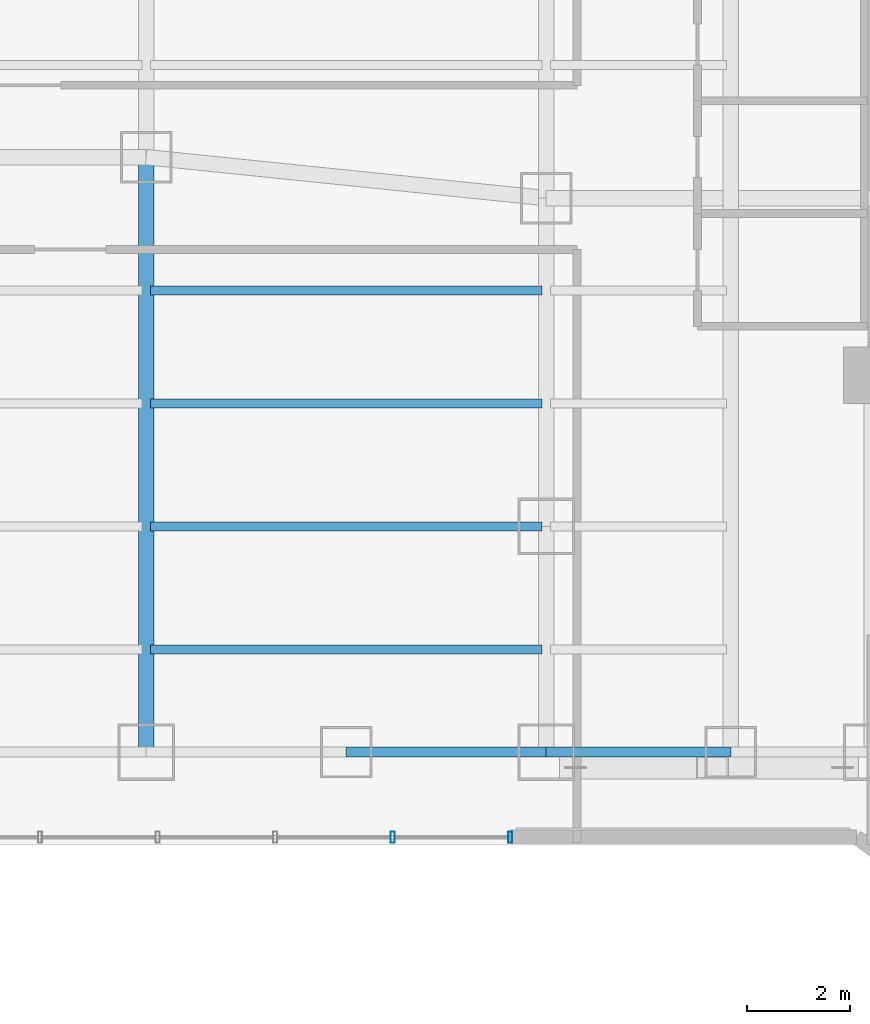
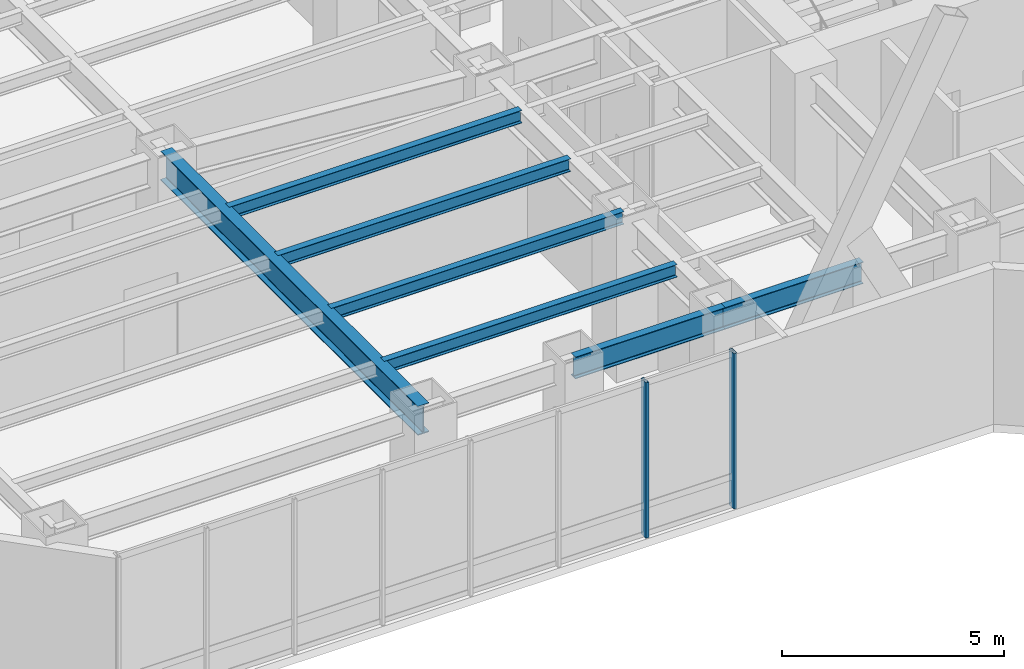
# One storey, part 4 of 29: 7 beams, 2 members, 1 element without a shape of its own.
"""IFC4 building model written with IfcOpenShell, lengths in metres."""

from ifc_helpers import new_model, si_unit, direction, frame, origin, origin_2d, place, context, subcontext, project, spatial, hollow_rectangle, i_section, extrude, material, layer, layer_set, material_profile, profile_set, type_object, element, aggregate, save


model = new_model("IFC4")

# Units and contexts
model_context = context("Model", 3, precision=1e-05, world=origin(), true_north=direction((0.0, 1.0)))
body_context = subcontext(model_context, "Body", "Model", "MODEL_VIEW")
ifc_project = project(units=[si_unit("LENGTHUNIT", "METRE"), si_unit("AREAUNIT", "SQUARE_METRE"), si_unit("VOLUMEUNIT", "CUBIC_METRE"), si_unit("PLANEANGLEUNIT", "RADIAN"), si_unit("MASSUNIT", "GRAM", prefix="KILO")], contexts=[model_context])

# Site, building, storey
site_placement = place(None, origin())
site = spatial("IfcSite", under=ifc_project, at=site_placement, CompositionType="ELEMENT")
building_placement = place(site_placement, origin())
building = spatial("IfcBuilding", under=site, at=building_placement, Name="Hatsunagi Terrace Concourse", CompositionType="ELEMENT")
storey_placement = place(building_placement, frame((0.0, 0.0, 32.10009765625)))
storey = spatial("IfcBuildingStorey", under=building, at=storey_placement, Name="L07", CompositionType="ELEMENT", Elevation=32.10009765625)

# Curtain wall, members
ifc_material_1 = material(Name="Anodised Aluminium Alloy 6063-T5", Category="aluminium")
ifc_layer = layer(ifc_material_1, 0.199951171875)
ifc_layer_set = layer_set([ifc_layer], Name="SkyLobbyAtrium_CW05")
curtain_wall_type = type_object("IfcCurtainWallType", Name="SkyLobbyAtrium_CW05", PredefinedType="NOTDEFINED", material=ifc_layer_set)
curtain_wall_placement = place(storey_placement, origin())
curtain_wall = element("IfcCurtainWall", 1, at=curtain_wall_placement, inside=storey, type_object=curtain_wall_type, Name="Unitised Curtain Wall CW-05 CW-L07-07", PredefinedType="NOTDEFINED")
ifc_material_2 = material(Name="Anodised Aluminium Alloy 6063-T5", Category="aluminium")
ifc_material_profile_1 = material_profile(ifc_material_2, hollow_rectangle(XDim=0.080078125, YDim=0.219970703125, WallThickness=0.0048828125, at=origin_2d()), Name="ALU-MUL-220x80x5")
ifc_profile_set_1 = profile_set([ifc_material_profile_1], Name="Anodised Aluminium Alloy 6063-T5")
member_type = type_object("IfcMemberType", Name="CurtainWallMullion_Heavy_220x80", PredefinedType="MULLION", material=ifc_profile_set_1)
member_1_placement = place(storey_placement, frame((18.5, 23.5400390625, 0.0), z_axis=(0.0, 0.0, 1.0), x_axis=(-1.0, 0.0, 0.0)))
member_1 = element("IfcMember", 2, at=member_1_placement, type_object=member_type, Name="Curtain Wall Mullion MUL-01", PredefinedType="MULLION", context=body_context, shape_type="SweptSolid", body=[
    extrude(hollow_rectangle(XDim=0.080078125, YDim=0.219970703125, WallThickness=0.0048828125, at=origin_2d()), origin(), (0.0, 0.0, 1.0), 4.27978515625),
])
member_2_placement = place(storey_placement, frame((16.2080078125, 23.5400390625, 0.0), z_axis=(0.0, 0.0, 1.0), x_axis=(-1.0, 0.0, 0.0)))
member_2 = element("IfcMember", 3, at=member_2_placement, type_object=member_type, Name="Curtain Wall Mullion MUL-01", PredefinedType="MULLION", context=body_context, shape_type="SweptSolid", body=[
    extrude(hollow_rectangle(XDim=0.080078125, YDim=0.219970703125, WallThickness=0.0048828125, at=origin_2d()), origin(), (0.0, 0.0, 1.0), 4.27978515625),
])
aggregate(curtain_wall, [member_1, member_2])

# Beams
ifc_material_3 = material(Name="Steel SN490B", Category="steel")
ifc_material_profile_2 = material_profile(ifc_material_3, i_section(OverallWidth=0.175048828125, OverallDepth=0.35009765625, WebThickness=0.007080078125, FlangeThickness=0.010986328125, FilletRadius=0.012939453125, at=origin_2d()), Name="H-350x175x7x11")
ifc_profile_set_2 = profile_set([ifc_material_profile_2], Name="Steel SN490B")
beam_type_1 = type_object("IfcBeamType", Name="HotelJoist_H_350x175", PredefinedType="JOIST", material=ifc_profile_set_2)
for number, where, z_axis, x_axis, name in (
    (4, (11.485107421875, 27.199951171875, 4.10498046875), (1.0, 0.0, 0.0), (0.0, 1.0, 0.0), "Beam J-02 J-L07-W-11-272"),
    (5, (11.485107421875, 29.60009765625, 4.10498046875), (1.0, 0.0, 0.0), (0.0, 1.0, 0.0), "Beam J-02 J-L07-W-11-296"),
    (6, (11.485107421875, 32.0, 4.10498046875), (1.0, 0.0, 0.0), (0.0, 1.0, 0.0), "Beam J-02 J-L07-W-11-320"),
    (7, (11.485107421875, 34.199951171875, 4.10498046875), (1.0, 0.0, 0.0), (0.0, 1.0, 0.0), "Beam J-02 J-L07-W-11-342"),
):
    element("IfcBeam", number, at=place(storey_placement, frame(where, z_axis=z_axis, x_axis=x_axis)), inside=storey, type_object=beam_type_1, Name=name, PredefinedType="JOIST", context=body_context, shape_type="SweptSolid", body=[
        extrude(i_section(OverallWidth=0.175048828125, OverallDepth=0.35009765625, WebThickness=0.007080078125, FlangeThickness=0.010986328125, FilletRadius=0.012939453125, at=origin_2d()), origin(), (0.0, 0.0, 1.0), 7.6298828125),
    ])
ifc_material_4 = material(Name="Steel SN490B", Category="steel")
ifc_material_profile_3 = material_profile(ifc_material_4, i_section(OverallWidth=0.199951171875, OverallDepth=0.60009765625, WebThickness=0.010986328125, FlangeThickness=0.01708984375, FilletRadius=0.01806640625, at=origin_2d()), Name="H-600x200x11x17")
ifc_profile_set_3 = profile_set([ifc_material_profile_3], Name="Steel SN490B")
beam_type_2 = type_object("IfcBeamType", Name="PerimeterSpandrel_H_600x200", PredefinedType="SPANDREL", material=ifc_profile_set_3)
beam_1_placement = place(storey_placement, frame((15.300048828125, 25.199951171875, 3.97998046875), z_axis=(1.0, 0.0, 0.0), x_axis=(0.0, 1.0, 0.0)))
element("IfcBeam", 8, at=beam_1_placement, inside=storey, type_object=beam_type_2, Name="Beam SP-01 BM-L07-WS-15", PredefinedType="SPANDREL", context=body_context, shape_type="SweptSolid", body=[
    extrude(i_section(OverallWidth=0.199951171875, OverallDepth=0.60009765625, WebThickness=0.010986328125, FlangeThickness=0.01708984375, FilletRadius=0.01806640625, at=origin_2d()), origin(), (0.0, 0.0, 1.0), 3.89990234375),
])
beam_2_placement = place(storey_placement, frame((19.199951171875, 25.199951171875, 3.97998046875), z_axis=(1.0, 0.0, 0.0), x_axis=(0.0, 1.0, 0.0)))
element("IfcBeam", 9, at=beam_2_placement, inside=storey, type_object=beam_type_2, Name="Beam SP-01 BM-L07-WS-19", PredefinedType="SPANDREL", context=body_context, shape_type="SweptSolid", body=[
    extrude(i_section(OverallWidth=0.199951171875, OverallDepth=0.60009765625, WebThickness=0.010986328125, FlangeThickness=0.01708984375, FilletRadius=0.01806640625, at=origin_2d()), origin(), (0.0, 0.0, 1.0), 3.60009765625),
])
ifc_material_5 = material(Name="Steel SN490B", Category="steel")
ifc_material_profile_4 = material_profile(ifc_material_5, i_section(OverallWidth=0.300048828125, OverallDepth=0.800048828125, WebThickness=0.013916015625, FlangeThickness=0.02587890625, FilletRadius=0.02197265625, at=origin_2d()), Name="H-800x300x14x26")
ifc_profile_set_4 = profile_set([ifc_material_profile_4], Name="Steel SN490B")
beam_type_3 = type_object("IfcBeamType", Name="SkyLobbyGirder_H_800x300", PredefinedType="BEAM", material=ifc_profile_set_4)
beam_3_placement = place(storey_placement, frame((11.39990234375, 25.199951171875, 3.8798828125), z_axis=(0.0, 1.0, 0.0), x_axis=(-1.0, 0.0, 0.0)))
element("IfcBeam", 10, at=beam_3_placement, inside=storey, type_object=beam_type_3, Name="Beam G-03 BM-L07-NS-11-25", PredefinedType="BEAM", context=body_context, shape_type="SweptSolid", body=[
    extrude(i_section(OverallWidth=0.300048828125, OverallDepth=0.800048828125, WebThickness=0.013916015625, FlangeThickness=0.02587890625, FilletRadius=0.02197265625, at=origin_2d()), origin(), (0.0, 0.0, 1.0), 11.60009765625),
])

save(model, "model.ifc")
